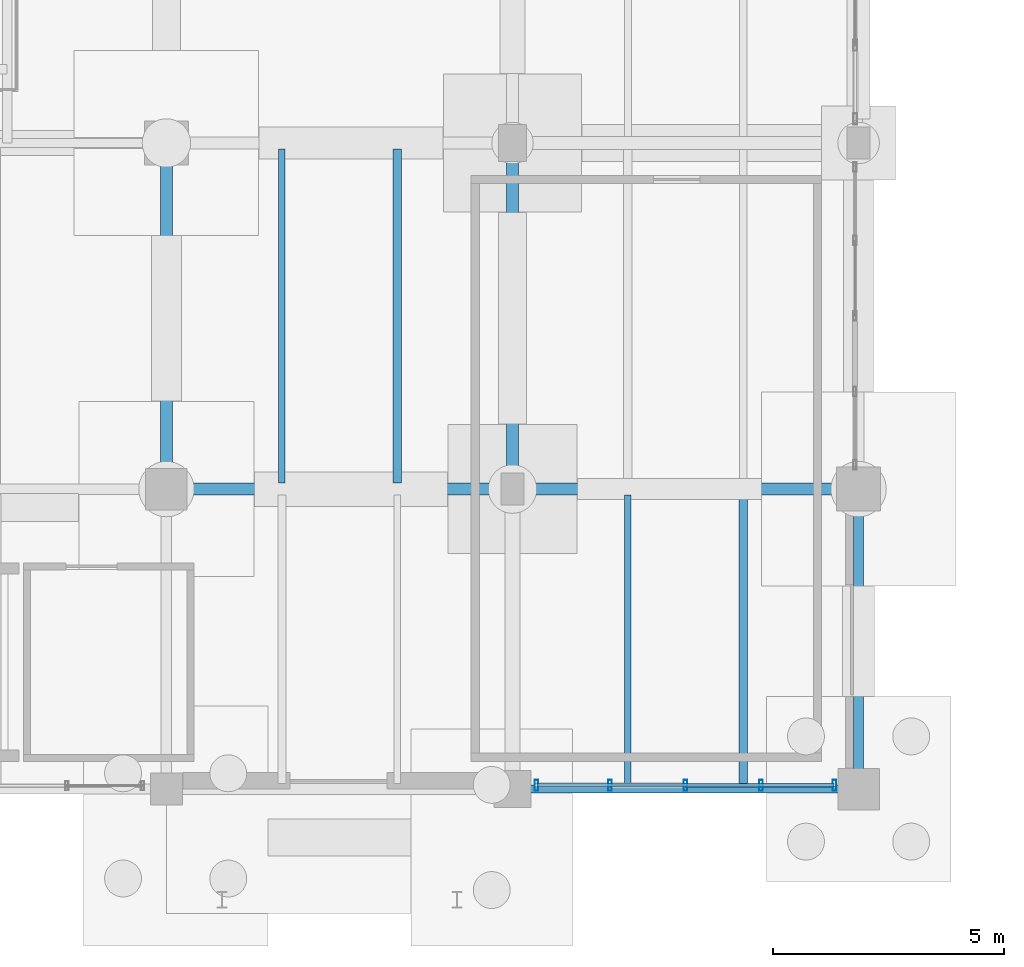
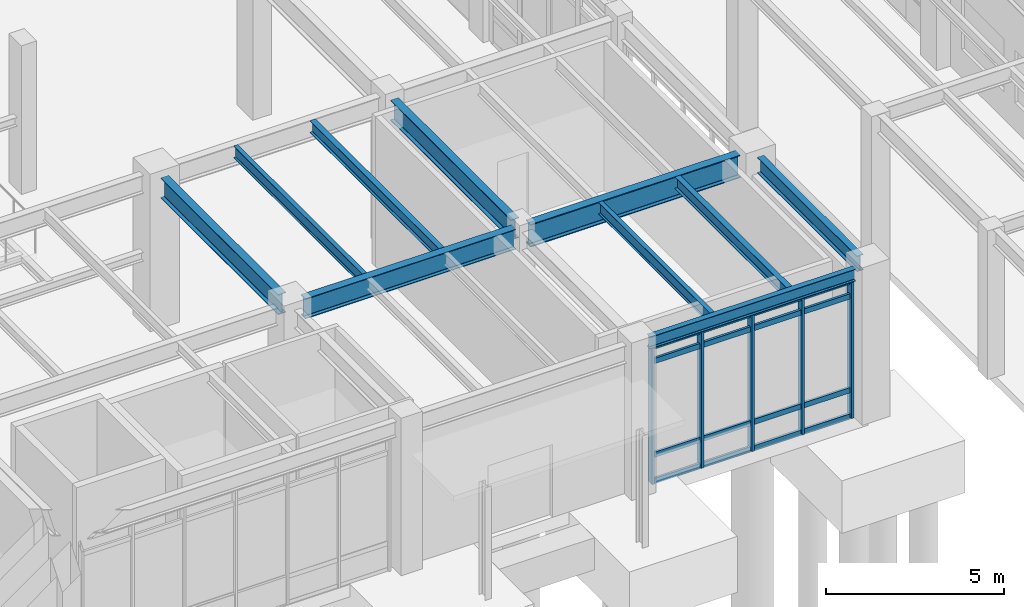
# One storey, part 31 of 203: 10 beams, 9 members, 1 element without a shape of its own.
"""IFC4 building model written with IfcOpenShell, lengths in metres."""

from ifc_helpers import new_model, si_unit, direction, frame, origin, origin_2d, place, context, subcontext, project, spatial, hollow_rectangle, i_section, extrude, material, material_profile, profile_set, type_object, element, aggregate, save


model = new_model("IFC4")

# Units and contexts
model_context = context("Model", 3, precision=1e-05, world=origin(), true_north=direction((0.0, 1.0)))
body_context = subcontext(model_context, "Body", "Model", "MODEL_VIEW")
ifc_project = project(units=[si_unit("LENGTHUNIT", "METRE"), si_unit("AREAUNIT", "SQUARE_METRE"), si_unit("VOLUMEUNIT", "CUBIC_METRE"), si_unit("PLANEANGLEUNIT", "RADIAN"), si_unit("MASSUNIT", "GRAM", prefix="KILO"), si_unit("THERMODYNAMICTEMPERATUREUNIT", "KELVIN"), si_unit("POWERUNIT", "WATT")], contexts=[model_context])

# Site, building, storey
site_placement = place(None, origin())
site = spatial("IfcSite", under=ifc_project, at=site_placement, CompositionType="ELEMENT")
building_placement = place(site_placement, origin())
building = spatial("IfcBuilding", under=site, at=building_placement, Name="Tepalcoro Natatorium and Aquatics Centre", CompositionType="ELEMENT")
storey_placement = place(building_placement, origin())
storey = spatial("IfcBuildingStorey", under=building, at=storey_placement, Name="L00", CompositionType="ELEMENT", Elevation=0.0)

# Beams
ifc_material_1 = material(Name="Steel ASTM A992 Grade 50 (Fy 345 MPa)", Category="steel")
ifc_material_profile_1 = material_profile(ifc_material_1, i_section(OverallWidth=0.25390625, OverallDepth=0.68798828125, WebThickness=0.012939453125, FlangeThickness=0.02099609375, FilletRadius=0.013916015625, at=origin_2d()), Name="W27X102")
ifc_profile_set_1 = profile_set([ifc_material_profile_1], Name="Steel ASTM A992 Grade 50 (Fy 345 MPa)")
beam_type_1 = type_object("IfcBeamType", Name="BM_W27x102", PredefinedType="BEAM", material=ifc_profile_set_1)
beam_1_placement = place(storey_placement, frame((21.43505859375, 13.0, 4.801025390625), z_axis=(1.0, 0.0, 0.0), x_axis=(0.0, 1.0, 0.0)))
element("IfcBeam", 1, at=beam_1_placement, inside=storey, type_object=beam_type_1, Name="V3 L00 Grid Girder X", PredefinedType="BEAM", context=body_context, shape_type="SweptSolid", body=[
    extrude(i_section(OverallWidth=0.25390625, OverallDepth=0.68798828125, WebThickness=0.012939453125, FlangeThickness=0.02099609375, FilletRadius=0.013916015625, at=origin_2d()), origin(), (0.0, 0.0, 1.0), 6.829833984375),
])
beam_2_placement = place(storey_placement, frame((21.0, 13.43505859375, 4.801025390625), z_axis=(0.0, 1.0, 0.0), x_axis=(-1.0, 0.0, 0.0)))
element("IfcBeam", 2, at=beam_2_placement, inside=storey, type_object=beam_type_1, Name="V3 L00 Grid Girder Y", PredefinedType="BEAM", context=body_context, shape_type="SweptSolid", body=[
    extrude(i_section(OverallWidth=0.25390625, OverallDepth=0.68798828125, WebThickness=0.012939453125, FlangeThickness=0.02099609375, FilletRadius=0.013916015625, at=origin_2d()), origin(), (0.0, 0.0, 1.0), 6.60498046875),
])
ifc_material_profile_2 = material_profile(ifc_material_1, i_section(OverallWidth=0.25390625, OverallDepth=0.700927734375, WebThickness=0.014892578125, FlangeThickness=0.028076171875, FilletRadius=0.013916015625, at=origin_2d()), Name="W27X129")
ifc_profile_set_2 = profile_set([ifc_material_profile_2], Name="Steel ASTM A992 Grade 50 (Fy 345 MPa)")
beam_type_2 = type_object("IfcBeamType", Name="BM_W27x129", PredefinedType="BEAM", material=ifc_profile_set_2)
beam_3_placement = place(storey_placement, frame((28.5, 13.3349609375, 4.79443359375), z_axis=(0.0, 1.0, 0.0), x_axis=(-1.0, 0.0, 0.0)))
element("IfcBeam", 3, at=beam_3_placement, inside=storey, type_object=beam_type_2, Name="V3 L00 Grid Girder Y", PredefinedType="BEAM", context=body_context, shape_type="SweptSolid", body=[
    extrude(i_section(OverallWidth=0.25390625, OverallDepth=0.700927734375, WebThickness=0.014892578125, FlangeThickness=0.028076171875, FilletRadius=0.013916015625, at=origin_2d()), origin(), (0.0, 0.0, 1.0), 6.780029296875),
])
ifc_material_profile_3 = material_profile(ifc_material_1, i_section(OverallWidth=0.26708984375, OverallDepth=0.780029296875, WebThickness=0.01708984375, FlangeThickness=0.030029296875, FilletRadius=0.013916015625, at=origin_2d()), Name="W30X148")
ifc_profile_set_3 = profile_set([ifc_material_profile_3], Name="Steel ASTM A992 Grade 50 (Fy 345 MPa)")
beam_type_3 = type_object("IfcBeamType", Name="BM_W30x148", PredefinedType="BEAM", material=ifc_profile_set_3)
beam_4_placement = place(storey_placement, frame((28.735107421875, 13.0, 4.7548828125), z_axis=(1.0, 0.0, 0.0), x_axis=(0.0, 1.0, 0.0)))
element("IfcBeam", 4, at=beam_4_placement, inside=storey, type_object=beam_type_3, Name="V3 L00 Grid Girder X", PredefinedType="BEAM", context=body_context, shape_type="SweptSolid", body=[
    extrude(i_section(OverallWidth=0.26708984375, OverallDepth=0.780029296875, WebThickness=0.01708984375, FlangeThickness=0.030029296875, FilletRadius=0.013916015625, at=origin_2d()), origin(), (0.0, 0.0, 1.0), 6.804931640625),
])

# Curtain wall, members
ifc_material_2 = material(Name="Bronze-Anodised Extruded Aluminium Alloy EN AW-6063 T6", Category="aluminium")
curtain_wall_type = type_object("IfcCurtainWallType", Name="CW_V5_LOWER", PredefinedType="USERDEFINED", material=ifc_material_2)
curtain_wall_placement = place(storey_placement, origin())
curtain_wall = element("IfcCurtainWall", 5, at=curtain_wall_placement, inside=storey, type_object=curtain_wall_type, Name="V3 L00 S Unitised Curtain Wall Bay 4", ObjectType="UNITISED STOREFRONT", PredefinedType="USERDEFINED")
ifc_material_profile_4 = material_profile(ifc_material_2, hollow_rectangle(XDim=0.080078125, YDim=0.239990234375, WallThickness=0.0048828125, at=origin_2d()), Name="AL80X240X5")
ifc_profile_set_4 = profile_set([ifc_material_profile_4], Name="Bronze-Anodised Extruded Aluminium Alloy EN AW-6063 T6")
member_type_1 = type_object("IfcMemberType", Name="CW_MUL_80x240", PredefinedType="MULLION", material=ifc_profile_set_4)
member_1_placement = place(storey_placement, frame((29.02001953125, 6.580078125, 0.02001953125), z_axis=(0.0, 0.0, 1.0), x_axis=(1.0, 0.0, 0.0)))
member_1 = element("IfcMember", 6, at=member_1_placement, type_object=member_type_1, Name="CW_V5_LOWER Curtain Wall Mullion", PredefinedType="MULLION", context=body_context, shape_type="SweptSolid", body=[
    extrude(hollow_rectangle(XDim=0.080078125, YDim=0.239990234375, WallThickness=0.0048828125, at=origin_2d()), origin(), (0.0, 0.0, 1.0), 4.677001953125),
])
member_2_placement = place(storey_placement, frame((30.614990234375, 6.580078125, 0.02001953125), z_axis=(0.0, 0.0, 1.0), x_axis=(1.0, 0.0, 0.0)))
member_2 = element("IfcMember", 7, at=member_2_placement, type_object=member_type_1, Name="CW_V5_LOWER Curtain Wall Mullion", PredefinedType="MULLION", context=body_context, shape_type="SweptSolid", body=[
    extrude(hollow_rectangle(XDim=0.080078125, YDim=0.239990234375, WallThickness=0.0048828125, at=origin_2d()), origin(), (0.0, 0.0, 1.0), 4.677001953125),
])
member_3_placement = place(storey_placement, frame((32.25, 6.580078125, 0.02001953125), z_axis=(0.0, 0.0, 1.0), x_axis=(1.0, 0.0, 0.0)))
member_3 = element("IfcMember", 8, at=member_3_placement, type_object=member_type_1, Name="CW_V5_LOWER Curtain Wall Mullion", PredefinedType="MULLION", context=body_context, shape_type="SweptSolid", body=[
    extrude(hollow_rectangle(XDim=0.080078125, YDim=0.239990234375, WallThickness=0.0048828125, at=origin_2d()), origin(), (0.0, 0.0, 1.0), 4.677001953125),
])
member_4_placement = place(storey_placement, frame((33.885009765625, 6.580078125, 0.02001953125), z_axis=(0.0, 0.0, 1.0), x_axis=(1.0, 0.0, 0.0)))
member_4 = element("IfcMember", 9, at=member_4_placement, type_object=member_type_1, Name="CW_V5_LOWER Curtain Wall Mullion", PredefinedType="MULLION", context=body_context, shape_type="SweptSolid", body=[
    extrude(hollow_rectangle(XDim=0.080078125, YDim=0.239990234375, WallThickness=0.0048828125, at=origin_2d()), origin(), (0.0, 0.0, 1.0), 4.677001953125),
])
member_5_placement = place(storey_placement, frame((35.47998046875, 6.580078125, 0.02001953125), z_axis=(0.0, 0.0, 1.0), x_axis=(1.0, 0.0, 0.0)))
member_5 = element("IfcMember", 10, at=member_5_placement, type_object=member_type_1, Name="CW_V5_LOWER Curtain Wall Mullion", PredefinedType="MULLION", context=body_context, shape_type="SweptSolid", body=[
    extrude(hollow_rectangle(XDim=0.080078125, YDim=0.239990234375, WallThickness=0.0048828125, at=origin_2d()), origin(), (0.0, 0.0, 1.0), 4.677001953125),
])
ifc_material_profile_5 = material_profile(ifc_material_2, hollow_rectangle(XDim=0.080078125, YDim=0.179931640625, WallThickness=0.0048828125, at=origin_2d()), Name="AL80X180X5")
ifc_profile_set_5 = profile_set([ifc_material_profile_5], Name="Bronze-Anodised Extruded Aluminium Alloy EN AW-6063 T6")
member_type_2 = type_object("IfcMemberType", Name="CW_TRN_80x180", PredefinedType="USERDEFINED", material=ifc_profile_set_5)
member_6_placement = place(storey_placement, frame((29.030029296875, 6.580078125, 0.050048828125), z_axis=(1.0, 0.0, 0.0), x_axis=(0.0, 1.0, 0.0)))
member_6 = element("IfcMember", 11, at=member_6_placement, type_object=member_type_2, Name="CW_V5_LOWER Curtain Wall Transom", ObjectType="TRANSOM", PredefinedType="USERDEFINED", context=body_context, shape_type="SweptSolid", body=[
    extrude(hollow_rectangle(XDim=0.080078125, YDim=0.179931640625, WallThickness=0.0048828125, at=origin_2d()), origin(), (0.0, 0.0, 1.0), 6.43994140625),
])
member_7_placement = place(storey_placement, frame((29.030029296875, 6.580078125, 0.949951171875), z_axis=(1.0, 0.0, 0.0), x_axis=(0.0, 1.0, 0.0)))
member_7 = element("IfcMember", 12, at=member_7_placement, type_object=member_type_2, Name="CW_V5_LOWER Curtain Wall Transom", ObjectType="TRANSOM", PredefinedType="USERDEFINED", context=body_context, shape_type="SweptSolid", body=[
    extrude(hollow_rectangle(XDim=0.080078125, YDim=0.179931640625, WallThickness=0.0048828125, at=origin_2d()), origin(), (0.0, 0.0, 1.0), 6.43994140625),
])
member_8_placement = place(storey_placement, frame((29.030029296875, 6.580078125, 4.1669921875), z_axis=(1.0, 0.0, 0.0), x_axis=(0.0, 1.0, 0.0)))
member_8 = element("IfcMember", 13, at=member_8_placement, type_object=member_type_2, Name="CW_V5_LOWER Curtain Wall Transom", ObjectType="TRANSOM", PredefinedType="USERDEFINED", context=body_context, shape_type="SweptSolid", body=[
    extrude(hollow_rectangle(XDim=0.080078125, YDim=0.179931640625, WallThickness=0.0048828125, at=origin_2d()), origin(), (0.0, 0.0, 1.0), 6.43994140625),
])
member_9_placement = place(storey_placement, frame((29.030029296875, 6.580078125, 4.6669921875), z_axis=(1.0, 0.0, 0.0), x_axis=(0.0, 1.0, 0.0)))
member_9 = element("IfcMember", 14, at=member_9_placement, type_object=member_type_2, Name="CW_V5_LOWER Curtain Wall Transom", ObjectType="TRANSOM", PredefinedType="USERDEFINED", context=body_context, shape_type="SweptSolid", body=[
    extrude(hollow_rectangle(XDim=0.080078125, YDim=0.179931640625, WallThickness=0.0048828125, at=origin_2d()), origin(), (0.0, 0.0, 1.0), 6.43994140625),
])
aggregate(curtain_wall, [member_1, member_2, member_3, member_4, member_5, member_6, member_7, member_8, member_9])

# Beams
ifc_material_profile_6 = material_profile(ifc_material_1, i_section(OverallWidth=0.139892578125, OverallDepth=0.404052734375, WebThickness=0.007080078125, FlangeThickness=0.010986328125, FilletRadius=0.013916015625, at=origin_2d()), Name="W16X31")
ifc_profile_set_6 = profile_set([ifc_material_profile_6], Name="Steel ASTM A992 Grade 50 (Fy 345 MPa)")
beam_type_4 = type_object("IfcBeamType", Name="JS_W16x31", PredefinedType="JOIST", material=ifc_profile_set_6)
beam_5_placement = place(storey_placement, frame((23.5, 13.126953125, 4.943115234375), z_axis=(0.0, 1.0, 0.0), x_axis=(-1.0, 0.0, 0.0)))
element("IfcBeam", 15, at=beam_5_placement, inside=storey, type_object=beam_type_4, Name="V3 L00 Floor Joist", PredefinedType="JOIST", context=body_context, shape_type="SweptSolid", body=[
    extrude(i_section(OverallWidth=0.139892578125, OverallDepth=0.404052734375, WebThickness=0.007080078125, FlangeThickness=0.010986328125, FilletRadius=0.013916015625, at=origin_2d()), origin(), (0.0, 0.0, 1.0), 7.24609375),
])
beam_6_placement = place(storey_placement, frame((31.0, 6.590087890625, 4.943115234375), z_axis=(0.0, 1.0, 0.0), x_axis=(-1.0, 0.0, 0.0)))
element("IfcBeam", 16, at=beam_6_placement, inside=storey, type_object=beam_type_4, Name="V3 L00 Floor Joist", PredefinedType="JOIST", context=body_context, shape_type="SweptSolid", body=[
    extrude(i_section(OverallWidth=0.139892578125, OverallDepth=0.404052734375, WebThickness=0.007080078125, FlangeThickness=0.010986328125, FilletRadius=0.013916015625, at=origin_2d()), origin(), (0.0, 0.0, 1.0), 6.2763671875),
])
ifc_material_profile_7 = material_profile(ifc_material_1, i_section(OverallWidth=0.178955078125, OverallDepth=0.409912109375, WebThickness=0.009033203125, FlangeThickness=0.013916015625, FilletRadius=0.013916015625, at=origin_2d()), Name="W16X45")
ifc_profile_set_7 = profile_set([ifc_material_profile_7], Name="Steel ASTM A992 Grade 50 (Fy 345 MPa)")
beam_type_5 = type_object("IfcBeamType", Name="JS_W16x45", PredefinedType="JOIST", material=ifc_profile_set_7)
beam_7_placement = place(storey_placement, frame((26.0, 13.126953125, 4.93994140625), z_axis=(0.0, 1.0, 0.0), x_axis=(-1.0, 0.0, 0.0)))
element("IfcBeam", 17, at=beam_7_placement, inside=storey, type_object=beam_type_5, Name="V3 L00 Floor Joist", PredefinedType="JOIST", context=body_context, shape_type="SweptSolid", body=[
    extrude(i_section(OverallWidth=0.178955078125, OverallDepth=0.409912109375, WebThickness=0.009033203125, FlangeThickness=0.013916015625, FilletRadius=0.013916015625, at=origin_2d()), origin(), (0.0, 0.0, 1.0), 7.24609375),
])
beam_8_placement = place(storey_placement, frame((33.5, 6.590087890625, 4.93994140625), z_axis=(0.0, 1.0, 0.0), x_axis=(-1.0, 0.0, 0.0)))
element("IfcBeam", 18, at=beam_8_placement, inside=storey, type_object=beam_type_5, Name="V3 L00 Floor Joist", PredefinedType="JOIST", context=body_context, shape_type="SweptSolid", body=[
    extrude(i_section(OverallWidth=0.178955078125, OverallDepth=0.409912109375, WebThickness=0.009033203125, FlangeThickness=0.013916015625, FilletRadius=0.013916015625, at=origin_2d()), origin(), (0.0, 0.0, 1.0), 6.2763671875),
])
ifc_material_profile_8 = material_profile(ifc_material_1, i_section(OverallWidth=0.179931640625, OverallDepth=0.4130859375, WebThickness=0.010009765625, FlangeThickness=0.01611328125, FilletRadius=0.013916015625, at=origin_2d()), Name="W16X50")
ifc_profile_set_8 = profile_set([ifc_material_profile_8], Name="Steel ASTM A992 Grade 50 (Fy 345 MPa)")
beam_type_6 = type_object("IfcBeamType", Name="SP_HSS300x200x12", PredefinedType="SPANDREL", material=ifc_profile_set_8)
beam_9_placement = place(storey_placement, frame((28.885009765625, 6.5, 4.9384765625), z_axis=(1.0, 0.0, 0.0), x_axis=(0.0, 1.0, 0.0)))
element("IfcBeam", 19, at=beam_9_placement, inside=storey, type_object=beam_type_6, Name="V3 L00 Grid Girder X", PredefinedType="SPANDREL", context=body_context, shape_type="SweptSolid", body=[
    extrude(i_section(OverallWidth=0.179931640625, OverallDepth=0.4130859375, WebThickness=0.010009765625, FlangeThickness=0.01611328125, FilletRadius=0.013916015625, at=origin_2d()), origin(), (0.0, 0.0, 1.0), 6.679931640625),
])
ifc_material_profile_9 = material_profile(ifc_material_1, i_section(OverallWidth=0.2099609375, OverallDepth=0.535888671875, WebThickness=0.010986328125, FlangeThickness=0.01708984375, FilletRadius=0.013916015625, at=origin_2d()), Name="W21X68")
ifc_profile_set_9 = profile_set([ifc_material_profile_9], Name="Steel ASTM A992 Grade 50 (Fy 345 MPa)")
beam_type_7 = type_object("IfcBeamType", Name="SP_W21x68", PredefinedType="SPANDREL", material=ifc_profile_set_9)
beam_10_placement = place(storey_placement, frame((36.0, 6.93505859375, 4.876953125), z_axis=(0.0, 1.0, 0.0), x_axis=(-1.0, 0.0, 0.0)))
element("IfcBeam", 20, at=beam_10_placement, inside=storey, type_object=beam_type_7, Name="V3 L00 Grid Girder Y", PredefinedType="SPANDREL", context=body_context, shape_type="SweptSolid", body=[
    extrude(i_section(OverallWidth=0.2099609375, OverallDepth=0.535888671875, WebThickness=0.010986328125, FlangeThickness=0.01708984375, FilletRadius=0.013916015625, at=origin_2d()), origin(), (0.0, 0.0, 1.0), 5.60498046875),
])

save(model, "model.ifc")
